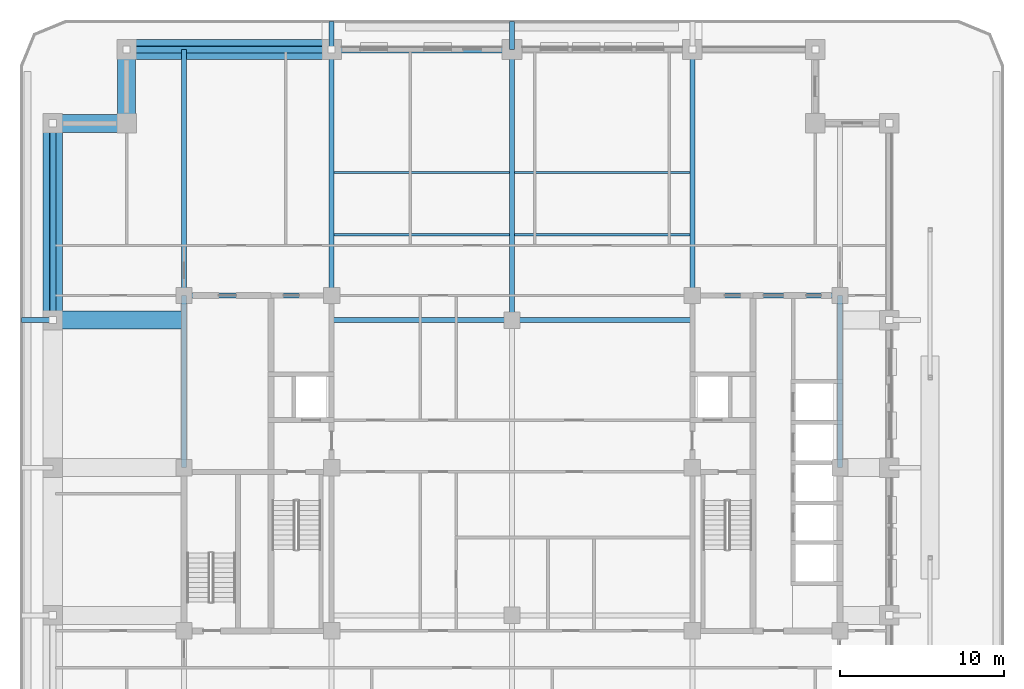
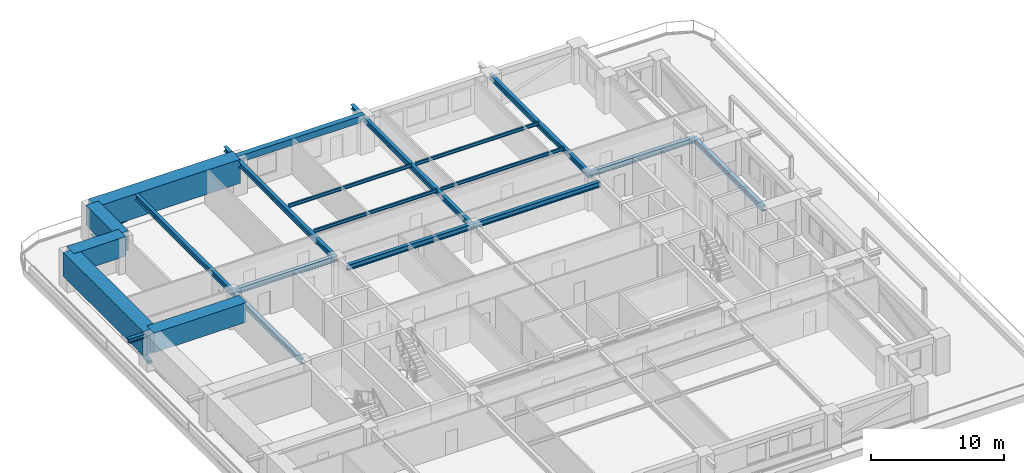
# One storey, part 3 of 17: 23 beams, 2 members.
"""IFC4 building model written with IfcOpenShell, lengths in metres."""

from ifc_helpers import new_model, si_unit, direction, frame, origin, origin_2d, place, context, subcontext, project, spatial, rectangle, hollow_circle, i_section, extrude, material, material_profile, profile_set, type_object, element, save


model = new_model("IFC4")

# Units and contexts
model_context = context("Model", 3, precision=1e-05, world=origin(), true_north=direction((0.0, 1.0)))
body_context = subcontext(model_context, "Body", "Model", "MODEL_VIEW")
ifc_project = project(units=[si_unit("LENGTHUNIT", "METRE"), si_unit("AREAUNIT", "SQUARE_METRE"), si_unit("VOLUMEUNIT", "CUBIC_METRE"), si_unit("PLANEANGLEUNIT", "RADIAN"), si_unit("MASSUNIT", "GRAM", prefix="KILO")], contexts=[model_context])

# Site, building, storey
site_placement = place(None, origin())
site = spatial("IfcSite", under=ifc_project, at=site_placement, CompositionType="ELEMENT")
building_placement = place(site_placement, origin())
building = spatial("IfcBuilding", under=site, at=building_placement, Name="Zulmaris Gate Convention Tower", CompositionType="ELEMENT")
storey_placement = place(building_placement, frame((0.0, 0.0, 121.349853515625)))
storey = spatial("IfcBuildingStorey", under=building, at=storey_placement, Name="L30", CompositionType="ELEMENT", Elevation=121.349853515625)

# Beams
ifc_material_1 = material(Name="Steel S355", Category="steel")
ifc_material_profile_1 = material_profile(ifc_material_1, i_section(OverallWidth=0.300048828125, OverallDepth=0.39990234375, WebThickness=0.013427734375, FlangeThickness=0.02392578125, FilletRadius=0.027099609375, at=origin_2d()), Name="HEB 400")
ifc_profile_set_1 = profile_set([ifc_material_profile_1], Name="Steel S355")
beam_type_1 = type_object("IfcBeamType", Name="BM-HEB400", PredefinedType="BEAM", material=ifc_profile_set_1)
for number, where, z_axis, x_axis, name in (
    (1, (-11.0, 25.5, 2.943115234375), (0.0, 1.0, 0.0), (-1.0, 0.0, 0.0), "L30 Beam TBRK-L30-N--11"),
    (2, (0.0, 25.5, 2.943115234375), (0.0, 1.0, 0.0), (-1.0, 0.0, 0.0), "L30 Beam TBRK-L30-N-+0"),
):
    element("IfcBeam", number, at=place(storey_placement, frame(where, z_axis=z_axis, x_axis=x_axis)), inside=storey, type_object=beam_type_1, Name=name, PredefinedType="BEAM", context=body_context, shape_type="SweptSolid", body=[
        extrude(i_section(OverallWidth=0.300048828125, OverallDepth=0.39990234375, WebThickness=0.013427734375, FlangeThickness=0.02392578125, FilletRadius=0.027099609375, at=origin_2d()), origin(), (0.0, 0.0, 1.0), 1.699951171875),
    ])
beam_1_placement = place(storey_placement, frame((-29.89990234375, 9.0, 2.97998046875), z_axis=(1.0, 0.0, 0.0), x_axis=(0.0, 1.0, 0.0)))
element("IfcBeam", 3, at=beam_1_placement, inside=storey, type_object=beam_type_1, Name="L30 Beam TBRK-L30-W-+9", PredefinedType="BEAM", context=body_context, shape_type="SweptSolid", body=[
    extrude(i_section(OverallWidth=0.300048828125, OverallDepth=0.39990234375, WebThickness=0.013427734375, FlangeThickness=0.02392578125, FilletRadius=0.027099609375, at=origin_2d()), origin(), (0.0, 0.0, 1.0), 1.89990234375),
])
ifc_material_profile_2 = material_profile(ifc_material_1, i_section(OverallWidth=0.300048828125, OverallDepth=0.5, WebThickness=0.014404296875, FlangeThickness=0.028076171875, FilletRadius=0.027099609375, at=origin_2d()), Name="HEB 500")
ifc_profile_set_2 = profile_set([ifc_material_profile_2], Name="Steel S355")
beam_type_2 = type_object("IfcBeamType", Name="BM-HEB500", PredefinedType="BEAM", material=ifc_profile_set_2)
for number, where, z_axis, x_axis, name in (
    (4, (-11.0, 9.0, 3.068115234375), (1.0, 0.0, 0.0), (0.0, 1.0, 0.0), "L30 Beam BM-L30-G03"),
    (5, (0.0, 9.0, 3.068115234375), (1.0, 0.0, 0.0), (0.0, 1.0, 0.0), "L30 Beam BM-L30-G04"),
):
    element("IfcBeam", number, at=place(storey_placement, frame(where, z_axis=z_axis, x_axis=x_axis)), inside=storey, type_object=beam_type_2, Name=name, PredefinedType="BEAM", context=body_context, shape_type="SweptSolid", body=[
        extrude(i_section(OverallWidth=0.300048828125, OverallDepth=0.5, WebThickness=0.014404296875, FlangeThickness=0.028076171875, FilletRadius=0.027099609375, at=origin_2d()), origin(), (0.0, 0.0, 1.0), 11.0),
    ])
beam_2_placement = place(storey_placement, frame((0.0, 9.0, 2.89306640625), z_axis=(0.0, 1.0, 0.0), x_axis=(-1.0, 0.0, 0.0)))
element("IfcBeam", 6, at=beam_2_placement, inside=storey, type_object=beam_type_2, Name="L30 Beam BM-L30-G07", PredefinedType="BEAM", context=body_context, shape_type="SweptSolid", body=[
    extrude(i_section(OverallWidth=0.300048828125, OverallDepth=0.5, WebThickness=0.014404296875, FlangeThickness=0.028076171875, FilletRadius=0.027099609375, at=origin_2d()), origin(), (0.0, 0.0, 1.0), 16.5),
])
for number, where, z_axis, x_axis, name in (
    (7, (-11.0, 10.5, 2.89306640625), (0.0, 1.0, 0.0), (-1.0, 0.0, 0.0), "L30 Beam BM-L30-G09"),
    (8, (11.0, 10.5, 2.89306640625), (0.0, 1.0, 0.0), (-1.0, 0.0, 0.0), "L30 Beam BM-L30-G11"),
    (9, (-20.0, 10.5, 3.068115234375), (0.0, 1.0, 0.0), (-1.0, 0.0, 0.0), "L30 Beam BM-L30-G13"),
):
    element("IfcBeam", number, at=place(storey_placement, frame(where, z_axis=z_axis, x_axis=x_axis)), inside=storey, type_object=beam_type_2, Name=name, PredefinedType="BEAM", context=body_context, shape_type="SweptSolid", body=[
        extrude(i_section(OverallWidth=0.300048828125, OverallDepth=0.5, WebThickness=0.014404296875, FlangeThickness=0.028076171875, FilletRadius=0.027099609375, at=origin_2d()), origin(), (0.0, 0.0, 1.0), 15.0),
    ])
for number, where, z_axis, x_axis, name in (
    (10, (-20.0, 10.5, 3.068115234375), (1.0, 0.0, 0.0), (0.0, 1.0, 0.0), "L30 Beam BM-L30-G23"),
    (11, (11.0, 10.5, 3.068115234375), (1.0, 0.0, 0.0), (0.0, 1.0, 0.0), "L30 Beam BM-L30-G25"),
):
    element("IfcBeam", number, at=place(storey_placement, frame(where, z_axis=z_axis, x_axis=x_axis)), inside=storey, type_object=beam_type_2, Name=name, PredefinedType="BEAM", context=body_context, shape_type="SweptSolid", body=[
        extrude(i_section(OverallWidth=0.300048828125, OverallDepth=0.5, WebThickness=0.014404296875, FlangeThickness=0.028076171875, FilletRadius=0.027099609375, at=origin_2d()), origin(), (0.0, 0.0, 1.0), 9.0),
    ])
for number, where, z_axis, x_axis, name in (
    (12, (-20.0, 0.0, 3.068115234375), (0.0, 1.0, 0.0), (-1.0, 0.0, 0.0), "L30 Beam BM-L30-G27"),
    (13, (20.0, 0.0, 3.068115234375), (0.0, 1.0, 0.0), (-1.0, 0.0, 0.0), "L30 Beam BM-L30-G29"),
):
    element("IfcBeam", number, at=place(storey_placement, frame(where, z_axis=z_axis, x_axis=x_axis)), inside=storey, type_object=beam_type_2, Name=name, PredefinedType="BEAM", context=body_context, shape_type="SweptSolid", body=[
        extrude(i_section(OverallWidth=0.300048828125, OverallDepth=0.5, WebThickness=0.014404296875, FlangeThickness=0.028076171875, FilletRadius=0.027099609375, at=origin_2d()), origin(), (0.0, 0.0, 1.0), 10.5),
    ])
ifc_material_2 = material(Name="Precast concrete C50/60", Category="concrete")
ifc_material_profile_3 = material_profile(ifc_material_2, rectangle(XDim=0.449951171875, YDim=0.60009765625, at=origin_2d()), Name="RC SPANDREL 450x600")
ifc_profile_set_3 = profile_set([ifc_material_profile_3], Name="Precast concrete C50/60")
beam_type_3 = type_object("IfcBeamType", Name="BM-SP450x600", PredefinedType="SPANDREL", material=ifc_profile_set_3)
beam_3_placement = place(storey_placement, frame((0.0, 25.5, 3.02001953125), z_axis=(-1.0, 0.0, 0.0), x_axis=(0.0, -1.0, 0.0)))
element("IfcBeam", 14, at=beam_3_placement, inside=storey, type_object=beam_type_3, Name="L30 Spandrel SP-L30-15", PredefinedType="SPANDREL", context=body_context, shape_type="SweptSolid", body=[
    extrude(rectangle(XDim=0.449951171875, YDim=0.60009765625, at=origin_2d()), origin(), (0.0, 0.0, 1.0), 11.0),
])
ifc_material_3 = material(Name="Concrete C80/95", Category="concrete")
ifc_material_profile_4 = material_profile(ifc_material_3, rectangle(XDim=1.10009765625, YDim=1.800048828125, at=origin_2d()), Name="RC TRANSFER 1100x1800")
ifc_profile_set_4 = profile_set([ifc_material_profile_4], Name="Concrete C80/95")
beam_type_4 = type_object("IfcBeamType", Name="BM-XFER1800", PredefinedType="BEAM", material=ifc_profile_set_4)
for number, where, z_axis, x_axis, name in (
    (15, (-23.5, 25.5, 2.420166015625), (0.0, -1.0, 0.0), (1.0, 0.0, 0.0), "L30 Beam SP-L30-17"),
    (16, (-23.5, 21.0, 2.420166015625), (-1.0, 0.0, 0.0), (0.0, -1.0, 0.0), "L30 Beam SP-L30-18"),
):
    element("IfcBeam", number, at=place(storey_placement, frame(where, z_axis=z_axis, x_axis=x_axis)), inside=storey, type_object=beam_type_4, Name=name, PredefinedType="BEAM", context=body_context, shape_type="SweptSolid", body=[
        extrude(rectangle(XDim=1.10009765625, YDim=1.800048828125, at=origin_2d()), origin(), (0.0, 0.0, 1.0), 4.5),
    ])
beam_4_placement = place(storey_placement, frame((-28.0, 9.0, 2.420166015625), z_axis=(1.0, 0.0, 0.0), x_axis=(0.0, 1.0, 0.0)))
element("IfcBeam", 17, at=beam_4_placement, inside=storey, type_object=beam_type_4, Name="L30 Beam BM-L30-G18", PredefinedType="BEAM", context=body_context, shape_type="SweptSolid", body=[
    extrude(rectangle(XDim=1.10009765625, YDim=1.800048828125, at=origin_2d()), origin(), (0.0, 0.0, 1.0), 8.0),
])
ifc_material_profile_5 = material_profile(ifc_material_3, rectangle(XDim=1.199951171875, YDim=2.199951171875, at=origin_2d()), Name="RC TRANSFER 1200x2200")
ifc_profile_set_5 = profile_set([ifc_material_profile_5], Name="Concrete C80/95")
beam_type_5 = type_object("IfcBeamType", Name="BM-XFER2200", PredefinedType="BEAM", material=ifc_profile_set_5)
beam_5_placement = place(storey_placement, frame((-11.0, 25.5, 2.219970703125), z_axis=(-1.0, 0.0, 0.0), x_axis=(0.0, -1.0, 0.0)))
element("IfcBeam", 18, at=beam_5_placement, inside=storey, type_object=beam_type_5, Name="L30 Beam SP-L30-16", PredefinedType="BEAM", context=body_context, shape_type="SweptSolid", body=[
    extrude(rectangle(XDim=1.199951171875, YDim=2.199951171875, at=origin_2d()), origin(), (0.0, 0.0, 1.0), 12.5),
])
beam_6_placement = place(storey_placement, frame((-28.0, 21.0, 2.219970703125), z_axis=(0.0, -1.0, 0.0), x_axis=(1.0, 0.0, 0.0)))
element("IfcBeam", 19, at=beam_6_placement, inside=storey, type_object=beam_type_5, Name="L30 Beam SP-L30-19", PredefinedType="BEAM", context=body_context, shape_type="SweptSolid", body=[
    extrude(rectangle(XDim=1.199951171875, YDim=2.199951171875, at=origin_2d()), origin(), (0.0, 0.0, 1.0), 12.0),
])

# Members
ifc_material_4 = material(Name="Steel S460", Category="steel")
ifc_material_profile_6 = material_profile(ifc_material_4, hollow_circle(Radius=0.203125, WallThickness=0.02001953125, at=origin_2d()), Name="CHS 406.4x20")
ifc_profile_set_6 = profile_set([ifc_material_profile_6], Name="Steel S460")
member_type = type_object("IfcMemberType", Name="BR-CHS406", PredefinedType="BRACE", material=ifc_profile_set_6)
member_1_placement = place(storey_placement, frame((-28.0, 9.0, 0.300048828125), z_axis=(0.0, 0.980582210276, 0.196108462057), x_axis=(-1.0, 0.0, 0.0)))
element("IfcMember", 20, at=member_1_placement, inside=storey, type_object=member_type, Name="L30 Perimeter Tube Diagonal NW-W", PredefinedType="BRACE", context=body_context, shape_type="SweptSolid", body=[
    extrude(hollow_circle(Radius=0.203125, WallThickness=0.02001953125, at=origin_2d()), origin(), (0.0, 0.0, 1.0), 12.237548828125),
])
member_2_placement = place(storey_placement, frame((-23.5, 25.5, 0.300048828125), z_axis=(0.982063862241, 0.0, 0.188548589176), x_axis=(0.0, 1.0, 0.0)))
element("IfcMember", 21, at=member_2_placement, inside=storey, type_object=member_type, Name="L30 Perimeter Tube Diagonal NW-N", PredefinedType="BRACE", context=body_context, shape_type="SweptSolid", body=[
    extrude(hollow_circle(Radius=0.203125, WallThickness=0.02001953125, at=origin_2d()), origin(), (0.0, 0.0, 1.0), 12.728271484375),
])

# Beams
ifc_material_profile_7 = material_profile(ifc_material_1, i_section(OverallWidth=0.14990234375, OverallDepth=0.300048828125, WebThickness=0.007080078125, FlangeThickness=0.0107421875, FilletRadius=0.014892578125, at=origin_2d()), Name="IPE 300")
ifc_profile_set_7 = profile_set([ifc_material_profile_7], Name="Steel S355")
beam_type_6 = type_object("IfcBeamType", Name="JT-IPE300", PredefinedType="JOIST", material=ifc_profile_set_7)
for number, where, z_axis, x_axis, name in (
    (22, (-10.85009765625, 14.199951171875, 3.16796875), (1.0, 0.0, 0.0), (0.0, 1.0, 0.0), "L30 Joist JT-L30-CW-+14.2"),
    (23, (0.14990234375, 14.199951171875, 3.16796875), (1.0, 0.0, 0.0), (0.0, 1.0, 0.0), "L30 Joist JT-L30-CE-+14.2"),
    (24, (-10.85009765625, 18.0, 3.16796875), (1.0, 0.0, 0.0), (0.0, 1.0, 0.0), "L30 Joist JT-L30-CW-+18.0"),
    (25, (0.14990234375, 18.0, 3.16796875), (1.0, 0.0, 0.0), (0.0, 1.0, 0.0), "L30 Joist JT-L30-CE-+18.0"),
):
    element("IfcBeam", number, at=place(storey_placement, frame(where, z_axis=z_axis, x_axis=x_axis)), inside=storey, type_object=beam_type_6, Name=name, PredefinedType="JOIST", context=body_context, shape_type="SweptSolid", body=[
        extrude(i_section(OverallWidth=0.14990234375, OverallDepth=0.300048828125, WebThickness=0.007080078125, FlangeThickness=0.0107421875, FilletRadius=0.014892578125, at=origin_2d()), origin(), (0.0, 0.0, 1.0), 10.7001953125),
    ])

save(model, "model.ifc")
